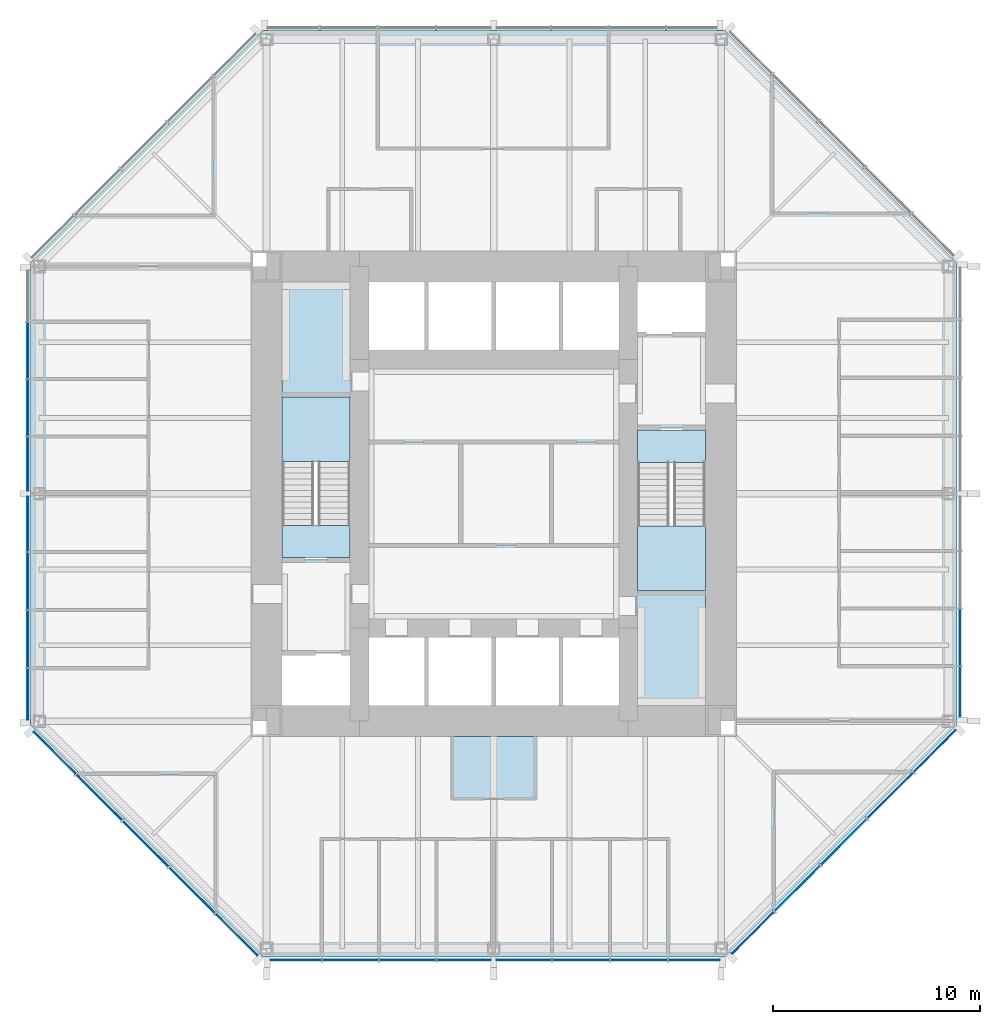
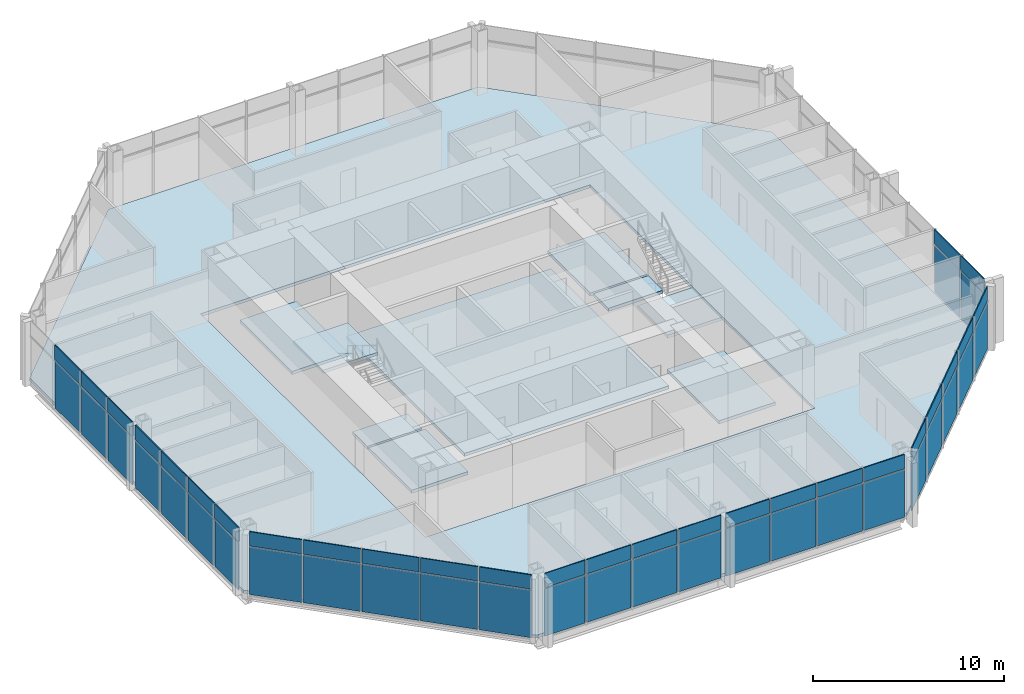
# One storey, part 7 of 12: 54 plates, 10 slabs, 7 elements without a shape of their own.
"""IFC4 building model written with IfcOpenShell, lengths in metres."""

from ifc_helpers import new_model, si_unit, direction, frame, origin, origin_2d, place, context, subcontext, project, spatial, polyline, rectangle, outline, extrude, material, layer, layer_set, type_object, element, aggregate, save


model = new_model("IFC4")

# Units and contexts
model_context = context("Model", 3, precision=1e-05, world=origin(), true_north=direction((0.0, 1.0)))
body_context = subcontext(model_context, "Body", "Model", "MODEL_VIEW")
ifc_project = project(units=[si_unit("LENGTHUNIT", "METRE"), si_unit("AREAUNIT", "SQUARE_METRE"), si_unit("VOLUMEUNIT", "CUBIC_METRE"), si_unit("PLANEANGLEUNIT", "RADIAN"), si_unit("MASSUNIT", "GRAM", prefix="KILO")], contexts=[model_context])

# Site, building, storey
site_placement = place(None, origin())
site = spatial("IfcSite", under=ifc_project, at=site_placement, CompositionType="ELEMENT")
building_placement = place(site_placement, origin())
building = spatial("IfcBuilding", under=site, at=building_placement, Name="Trevanion Tower", CompositionType="ELEMENT")
storey_placement = place(building_placement, frame((0.0, 0.0, 174.60009765625)))
storey = spatial("IfcBuildingStorey", under=building, at=storey_placement, Name="L41", CompositionType="ELEMENT", Elevation=174.60009765625)

# Curtain wall, plates
ifc_material_1 = material(Name="Aluminium and glass", Category="aluminium")
curtain_wall_type = type_object("IfcCurtainWallType", Name="CW2 curtain wall", PredefinedType="USERDEFINED", material=ifc_material_1)
curtain_wall_1_placement = place(storey_placement, origin())
curtain_wall_1 = element("IfcCurtainWall", 1, at=curtain_wall_1_placement, inside=storey, type_object=curtain_wall_type, Name="CW2 L41 0", ObjectType="UNITISED CURTAIN WALL", PredefinedType="USERDEFINED")
ifc_material_2 = material(Name="Aluminium spandrel panel", Category="aluminium")
ifc_layer_1 = layer(ifc_material_2, 0.06005859375)
ifc_layer_set_1 = layer_set([ifc_layer_1], Name="CW2 spandrel panel")
plate_type_1 = type_object("IfcPlateType", Name="CW2 spandrel panel", PredefinedType="CURTAIN_PANEL", material=ifc_layer_set_1)
plate_1_placement = place(storey_placement, frame((22.550048828125, -9.579345703125, 2.997314453125), z_axis=(0.0, 0.0, 1.0), x_axis=(0.0, 1.0, 0.0)))
plate_1 = element("IfcPlate", 2, at=plate_1_placement, type_object=plate_type_1, Name="CW2 panel 1.2", PredefinedType="CURTAIN_PANEL", context=body_context, shape_type="SweptSolid", body=[
    extrude(rectangle(XDim=2.43701171875, YDim=0.06005859375, at=origin_2d()), origin(), (0.0, 0.0, 1.0), 0.91259765625),
])
plate_2_placement = place(storey_placement, frame((22.550048828125, -6.93603515625, 2.997314453125), z_axis=(0.0, 0.0, 1.0), x_axis=(0.0, 1.0, 0.0)))
plate_2 = element("IfcPlate", 3, at=plate_2_placement, type_object=plate_type_1, Name="CW2 panel 2.2", PredefinedType="CURTAIN_PANEL", context=body_context, shape_type="SweptSolid", body=[
    extrude(rectangle(XDim=2.699462890625, YDim=0.06005859375, at=origin_2d()), origin(), (0.0, 0.0, 1.0), 0.91259765625),
])

curtain_wall_2_placement = place(storey_placement, origin())
curtain_wall_2 = element("IfcCurtainWall", 4, at=curtain_wall_2_placement, inside=storey, type_object=curtain_wall_type, Name="CW2 L41 4", ObjectType="UNITISED CURTAIN WALL", PredefinedType="USERDEFINED")
plate_3_placement = place(storey_placement, frame((-22.550048828125, 6.93603515625, 2.997314453125), z_axis=(0.0, 0.0, 1.0), x_axis=(0.0, -1.0, 0.0)))
plate_3 = element("IfcPlate", 5, at=plate_3_placement, type_object=plate_type_1, Name="CW2 panel 2.2", PredefinedType="CURTAIN_PANEL", context=body_context, shape_type="SweptSolid", body=[
    extrude(rectangle(XDim=2.699462890625, YDim=0.06005859375, at=origin_2d()), origin(), (0.0, 0.0, 1.0), 0.91259765625),
])
plate_4_placement = place(storey_placement, frame((-22.550048828125, 4.16162109375, 2.997314453125), z_axis=(0.0, 0.0, 1.0), x_axis=(0.0, -1.0, 0.0)))
plate_4 = element("IfcPlate", 6, at=plate_4_placement, type_object=plate_type_1, Name="CW2 panel 3.2", PredefinedType="CURTAIN_PANEL", context=body_context, shape_type="SweptSolid", body=[
    extrude(rectangle(XDim=2.699462890625, YDim=0.06005859375, at=origin_2d()), origin(), (0.0, 0.0, 1.0), 0.91259765625),
])
plate_5_placement = place(storey_placement, frame((-22.550048828125, 1.443603515625, 2.997314453125), z_axis=(0.0, 0.0, 1.0), x_axis=(0.0, -1.0, 0.0)))
plate_5 = element("IfcPlate", 7, at=plate_5_placement, type_object=plate_type_1, Name="CW2 panel 4.2", PredefinedType="CURTAIN_PANEL", context=body_context, shape_type="SweptSolid", body=[
    extrude(rectangle(XDim=2.5869140625, YDim=0.06005859375, at=origin_2d()), origin(), (0.0, 0.0, 1.0), 0.91259765625),
])
plate_6_placement = place(storey_placement, frame((-22.550048828125, -1.459716796875, 2.997314453125), z_axis=(0.0, 0.0, 1.0), x_axis=(0.0, -1.0, 0.0)))
plate_6 = element("IfcPlate", 8, at=plate_6_placement, type_object=plate_type_1, Name="CW2 panel 5.2", PredefinedType="CURTAIN_PANEL", context=body_context, shape_type="SweptSolid", body=[
    extrude(rectangle(XDim=2.619384765625, YDim=0.06005859375, at=origin_2d()), origin(), (0.0, 0.0, 1.0), 0.91259765625),
])
plate_7_placement = place(storey_placement, frame((-22.550048828125, -4.21044921875, 2.997314453125), z_axis=(0.0, 0.0, 1.0), x_axis=(0.0, -1.0, 0.0)))
plate_7 = element("IfcPlate", 9, at=plate_7_placement, type_object=plate_type_1, Name="CW2 panel 6.2", PredefinedType="CURTAIN_PANEL", context=body_context, shape_type="SweptSolid", body=[
    extrude(rectangle(XDim=2.73193359375, YDim=0.06005859375, at=origin_2d()), origin(), (0.0, 0.0, 1.0), 0.91259765625),
])
plate_8_placement = place(storey_placement, frame((-22.550048828125, -7.017333984375, 2.997314453125), z_axis=(0.0, 0.0, 1.0), x_axis=(0.0, -1.0, 0.0)))
plate_8 = element("IfcPlate", 10, at=plate_8_placement, type_object=plate_type_1, Name="CW2 panel 7.2", PredefinedType="CURTAIN_PANEL", context=body_context, shape_type="SweptSolid", body=[
    extrude(rectangle(XDim=2.73193359375, YDim=0.06005859375, at=origin_2d()), origin(), (0.0, 0.0, 1.0), 0.91259765625),
])
plate_9_placement = place(storey_placement, frame((-22.550048828125, -9.693115234375, 2.997314453125), z_axis=(0.0, 0.0, 1.0), x_axis=(0.0, -1.0, 0.0)))
plate_9 = element("IfcPlate", 11, at=plate_9_placement, type_object=plate_type_1, Name="CW2 panel 8.2", PredefinedType="CURTAIN_PANEL", context=body_context, shape_type="SweptSolid", body=[
    extrude(rectangle(XDim=2.469482421875, YDim=0.06005859375, at=origin_2d()), origin(), (0.0, 0.0, 1.0), 0.91259765625),
])

curtain_wall_3_placement = place(storey_placement, origin())
curtain_wall_3 = element("IfcCurtainWall", 12, at=curtain_wall_3_placement, inside=storey, type_object=curtain_wall_type, Name="CW2 L41 5", ObjectType="UNITISED CURTAIN WALL", PredefinedType="USERDEFINED")
plate_10_placement = place(storey_placement, frame((-21.2421875, -12.53564453125, 2.997314453125), z_axis=(0.0, 0.0, 1.0), x_axis=(0.707106781187, -0.707106781187, 0.0)))
plate_10 = element("IfcPlate", 13, at=plate_10_placement, type_object=plate_type_1, Name="CW2 panel 1.2", PredefinedType="CURTAIN_PANEL", context=body_context, shape_type="SweptSolid", body=[
    extrude(rectangle(XDim=2.8388671875, YDim=0.06005859375, at=origin_2d()), origin(), (0.0, 0.0, 1.0), 0.91259765625),
])
plate_11_placement = place(storey_placement, frame((-19.089111328125, -14.688720703125, 2.997314453125), z_axis=(0.0, 0.0, 1.0), x_axis=(0.707106781187, -0.707106781187, 0.0)))
plate_11 = element("IfcPlate", 14, at=plate_11_placement, type_object=plate_type_1, Name="CW2 panel 2.2", PredefinedType="CURTAIN_PANEL", context=body_context, shape_type="SweptSolid", body=[
    extrude(rectangle(XDim=3.101318359375, YDim=0.06005859375, at=origin_2d()), origin(), (0.0, 0.0, 1.0), 0.91259765625),
])
plate_12_placement = place(storey_placement, frame((-16.843017578125, -16.934814453125, 2.997314453125), z_axis=(0.0, 0.0, 1.0), x_axis=(0.707106781187, -0.707106781187, 0.0)))
plate_12 = element("IfcPlate", 15, at=plate_12_placement, type_object=plate_type_1, Name="CW2 panel 3.2", PredefinedType="CURTAIN_PANEL", context=body_context, shape_type="SweptSolid", body=[
    extrude(rectangle(XDim=3.101318359375, YDim=0.06005859375, at=origin_2d()), origin(), (0.0, 0.0, 1.0), 0.91259765625),
])
plate_13_placement = place(storey_placement, frame((-14.596923828125, -19.180908203125, 2.997314453125), z_axis=(0.0, 0.0, 1.0), x_axis=(0.707106781187, -0.707106781187, 0.0)))
plate_13 = element("IfcPlate", 16, at=plate_13_placement, type_object=plate_type_1, Name="CW2 panel 4.2", PredefinedType="CURTAIN_PANEL", context=body_context, shape_type="SweptSolid", body=[
    extrude(rectangle(XDim=3.101318359375, YDim=0.06005859375, at=origin_2d()), origin(), (0.0, 0.0, 1.0), 0.91259765625),
])
plate_14_placement = place(storey_placement, frame((-12.443603515625, -21.334228515625, 2.997314453125), z_axis=(0.0, 0.0, 1.0), x_axis=(0.707106781187, -0.707106781187, 0.0)))
plate_14 = element("IfcPlate", 17, at=plate_14_placement, type_object=plate_type_1, Name="CW2 panel 5.2", PredefinedType="CURTAIN_PANEL", context=body_context, shape_type="SweptSolid", body=[
    extrude(rectangle(XDim=2.8388671875, YDim=0.06005859375, at=origin_2d()), origin(), (0.0, 0.0, 1.0), 0.91259765625),
])

curtain_wall_4_placement = place(storey_placement, origin())
curtain_wall_4 = element("IfcCurtainWall", 18, at=curtain_wall_4_placement, inside=storey, type_object=curtain_wall_type, Name="CW2 L41 6", ObjectType="UNITISED CURTAIN WALL", PredefinedType="USERDEFINED")
plate_15_placement = place(storey_placement, frame((-9.579345703125, -22.550048828125, 2.997314453125), z_axis=(0.0, 0.0, 1.0), x_axis=(1.0, 0.0, 0.0)))
plate_15 = element("IfcPlate", 19, at=plate_15_placement, type_object=plate_type_1, Name="CW2 panel 1.2", PredefinedType="CURTAIN_PANEL", context=body_context, shape_type="SweptSolid", body=[
    extrude(rectangle(XDim=2.43701171875, YDim=0.06005859375, at=origin_2d()), origin(), (0.0, 0.0, 1.0), 0.91259765625),
])
plate_16_placement = place(storey_placement, frame((-6.93603515625, -22.550048828125, 2.997314453125), z_axis=(0.0, 0.0, 1.0), x_axis=(1.0, 0.0, 0.0)))
plate_16 = element("IfcPlate", 20, at=plate_16_placement, type_object=plate_type_1, Name="CW2 panel 2.2", PredefinedType="CURTAIN_PANEL", context=body_context, shape_type="SweptSolid", body=[
    extrude(rectangle(XDim=2.699462890625, YDim=0.06005859375, at=origin_2d()), origin(), (0.0, 0.0, 1.0), 0.91259765625),
])
plate_17_placement = place(storey_placement, frame((-4.16162109375, -22.550048828125, 2.997314453125), z_axis=(0.0, 0.0, 1.0), x_axis=(1.0, 0.0, 0.0)))
plate_17 = element("IfcPlate", 21, at=plate_17_placement, type_object=plate_type_1, Name="CW2 panel 3.2", PredefinedType="CURTAIN_PANEL", context=body_context, shape_type="SweptSolid", body=[
    extrude(rectangle(XDim=2.699462890625, YDim=0.06005859375, at=origin_2d()), origin(), (0.0, 0.0, 1.0), 0.91259765625),
])
plate_18_placement = place(storey_placement, frame((-1.443603515625, -22.550048828125, 2.997314453125), z_axis=(0.0, 0.0, 1.0), x_axis=(1.0, 0.0, 0.0)))
plate_18 = element("IfcPlate", 22, at=plate_18_placement, type_object=plate_type_1, Name="CW2 panel 4.2", PredefinedType="CURTAIN_PANEL", context=body_context, shape_type="SweptSolid", body=[
    extrude(rectangle(XDim=2.5869140625, YDim=0.06005859375, at=origin_2d()), origin(), (0.0, 0.0, 1.0), 0.91259765625),
])
plate_19_placement = place(storey_placement, frame((1.459716796875, -22.550048828125, 2.997314453125), z_axis=(0.0, 0.0, 1.0), x_axis=(1.0, 0.0, 0.0)))
plate_19 = element("IfcPlate", 23, at=plate_19_placement, type_object=plate_type_1, Name="CW2 panel 5.2", PredefinedType="CURTAIN_PANEL", context=body_context, shape_type="SweptSolid", body=[
    extrude(rectangle(XDim=2.619384765625, YDim=0.06005859375, at=origin_2d()), origin(), (0.0, 0.0, 1.0), 0.91259765625),
])
plate_20_placement = place(storey_placement, frame((4.21044921875, -22.550048828125, 2.997314453125), z_axis=(0.0, 0.0, 1.0), x_axis=(1.0, 0.0, 0.0)))
plate_20 = element("IfcPlate", 24, at=plate_20_placement, type_object=plate_type_1, Name="CW2 panel 6.2", PredefinedType="CURTAIN_PANEL", context=body_context, shape_type="SweptSolid", body=[
    extrude(rectangle(XDim=2.73193359375, YDim=0.06005859375, at=origin_2d()), origin(), (0.0, 0.0, 1.0), 0.91259765625),
])
plate_21_placement = place(storey_placement, frame((7.017333984375, -22.550048828125, 2.997314453125), z_axis=(0.0, 0.0, 1.0), x_axis=(1.0, 0.0, 0.0)))
plate_21 = element("IfcPlate", 25, at=plate_21_placement, type_object=plate_type_1, Name="CW2 panel 7.2", PredefinedType="CURTAIN_PANEL", context=body_context, shape_type="SweptSolid", body=[
    extrude(rectangle(XDim=2.73193359375, YDim=0.06005859375, at=origin_2d()), origin(), (0.0, 0.0, 1.0), 0.91259765625),
])
plate_22_placement = place(storey_placement, frame((9.693115234375, -22.550048828125, 2.997314453125), z_axis=(0.0, 0.0, 1.0), x_axis=(1.0, 0.0, 0.0)))
plate_22 = element("IfcPlate", 26, at=plate_22_placement, type_object=plate_type_1, Name="CW2 panel 8.2", PredefinedType="CURTAIN_PANEL", context=body_context, shape_type="SweptSolid", body=[
    extrude(rectangle(XDim=2.469482421875, YDim=0.06005859375, at=origin_2d()), origin(), (0.0, 0.0, 1.0), 0.91259765625),
])

curtain_wall_5_placement = place(storey_placement, origin())
curtain_wall_5 = element("IfcCurtainWall", 27, at=curtain_wall_5_placement, inside=storey, type_object=curtain_wall_type, Name="CW2 L41 7", ObjectType="UNITISED CURTAIN WALL", PredefinedType="USERDEFINED")
plate_23_placement = place(storey_placement, frame((12.53564453125, -21.2421875, 2.997314453125), z_axis=(0.0, 0.0, 1.0), x_axis=(0.707106781187, 0.707106781187, 0.0)))
plate_23 = element("IfcPlate", 28, at=plate_23_placement, type_object=plate_type_1, Name="CW2 panel 1.2", PredefinedType="CURTAIN_PANEL", context=body_context, shape_type="SweptSolid", body=[
    extrude(rectangle(XDim=2.8388671875, YDim=0.06005859375, at=origin_2d()), origin(), (0.0, 0.0, 1.0), 0.91259765625),
])
plate_24_placement = place(storey_placement, frame((14.688720703125, -19.089111328125, 2.997314453125), z_axis=(0.0, 0.0, 1.0), x_axis=(0.707106781187, 0.707106781187, 0.0)))
plate_24 = element("IfcPlate", 29, at=plate_24_placement, type_object=plate_type_1, Name="CW2 panel 2.2", PredefinedType="CURTAIN_PANEL", context=body_context, shape_type="SweptSolid", body=[
    extrude(rectangle(XDim=3.101318359375, YDim=0.06005859375, at=origin_2d()), origin(), (0.0, 0.0, 1.0), 0.91259765625),
])
plate_25_placement = place(storey_placement, frame((16.934814453125, -16.843017578125, 2.997314453125), z_axis=(0.0, 0.0, 1.0), x_axis=(0.707106781187, 0.707106781187, 0.0)))
plate_25 = element("IfcPlate", 30, at=plate_25_placement, type_object=plate_type_1, Name="CW2 panel 3.2", PredefinedType="CURTAIN_PANEL", context=body_context, shape_type="SweptSolid", body=[
    extrude(rectangle(XDim=3.101318359375, YDim=0.06005859375, at=origin_2d()), origin(), (0.0, 0.0, 1.0), 0.91259765625),
])
plate_26_placement = place(storey_placement, frame((19.180908203125, -14.596923828125, 2.997314453125), z_axis=(0.0, 0.0, 1.0), x_axis=(0.707106781187, 0.707106781187, 0.0)))
plate_26 = element("IfcPlate", 31, at=plate_26_placement, type_object=plate_type_1, Name="CW2 panel 4.2", PredefinedType="CURTAIN_PANEL", context=body_context, shape_type="SweptSolid", body=[
    extrude(rectangle(XDim=3.101318359375, YDim=0.06005859375, at=origin_2d()), origin(), (0.0, 0.0, 1.0), 0.91259765625),
])
plate_27_placement = place(storey_placement, frame((21.334228515625, -12.443603515625, 2.997314453125), z_axis=(0.0, 0.0, 1.0), x_axis=(0.707106781187, 0.707106781187, 0.0)))
plate_27 = element("IfcPlate", 32, at=plate_27_placement, type_object=plate_type_1, Name="CW2 panel 5.2", PredefinedType="CURTAIN_PANEL", context=body_context, shape_type="SweptSolid", body=[
    extrude(rectangle(XDim=2.8388671875, YDim=0.06005859375, at=origin_2d()), origin(), (0.0, 0.0, 1.0), 0.91259765625),
])

# Plate
ifc_material_3 = material(Name="Insulating glass unit", Category="glass")
ifc_layer_2 = layer(ifc_material_3, 0.028076171875)
ifc_layer_set_2 = layer_set([ifc_layer_2], Name="CW2 vision panel")
plate_type_2 = type_object("IfcPlateType", Name="CW2 vision panel", PredefinedType="CURTAIN_PANEL", material=ifc_layer_set_2)
plate_28_placement = place(storey_placement, frame((22.550048828125, -9.579345703125, -0.115234375), z_axis=(0.0, 0.0, 1.0), x_axis=(0.0, 1.0, 0.0)))
plate_28 = element("IfcPlate", 33, at=plate_28_placement, type_object=plate_type_2, Name="CW2 panel 1.1", PredefinedType="CURTAIN_PANEL", context=body_context, shape_type="SweptSolid", body=[
    extrude(rectangle(XDim=2.43701171875, YDim=0.028076171875, at=origin_2d()), origin(), (0.0, 0.0, 1.0), 3.03759765625),
])

plate_29_placement = place(storey_placement, frame((22.550048828125, -6.93603515625, -0.115234375), z_axis=(0.0, 0.0, 1.0), x_axis=(0.0, 1.0, 0.0)))
plate_29 = element("IfcPlate", 34, at=plate_29_placement, type_object=plate_type_2, Name="CW2 panel 2.1", PredefinedType="CURTAIN_PANEL", context=body_context, shape_type="SweptSolid", body=[
    extrude(rectangle(XDim=2.699462890625, YDim=0.028076171875, at=origin_2d()), origin(), (0.0, 0.0, 1.0), 3.03759765625),
])

aggregate(curtain_wall_1, [plate_28, plate_1, plate_29, plate_2])

plate_30_placement = place(storey_placement, frame((-22.550048828125, 6.93603515625, -0.115234375), z_axis=(0.0, 0.0, 1.0), x_axis=(0.0, -1.0, 0.0)))
plate_30 = element("IfcPlate", 35, at=plate_30_placement, type_object=plate_type_2, Name="CW2 panel 2.1", PredefinedType="CURTAIN_PANEL", context=body_context, shape_type="SweptSolid", body=[
    extrude(rectangle(XDim=2.699462890625, YDim=0.028076171875, at=origin_2d()), origin(), (0.0, 0.0, 1.0), 3.03759765625),
])

plate_31_placement = place(storey_placement, frame((-22.550048828125, 4.16162109375, -0.115234375), z_axis=(0.0, 0.0, 1.0), x_axis=(0.0, -1.0, 0.0)))
plate_31 = element("IfcPlate", 36, at=plate_31_placement, type_object=plate_type_2, Name="CW2 panel 3.1", PredefinedType="CURTAIN_PANEL", context=body_context, shape_type="SweptSolid", body=[
    extrude(rectangle(XDim=2.699462890625, YDim=0.028076171875, at=origin_2d()), origin(), (0.0, 0.0, 1.0), 3.03759765625),
])

plate_32_placement = place(storey_placement, frame((-22.550048828125, 1.443603515625, -0.115234375), z_axis=(0.0, 0.0, 1.0), x_axis=(0.0, -1.0, 0.0)))
plate_32 = element("IfcPlate", 37, at=plate_32_placement, type_object=plate_type_2, Name="CW2 panel 4.1", PredefinedType="CURTAIN_PANEL", context=body_context, shape_type="SweptSolid", body=[
    extrude(rectangle(XDim=2.5869140625, YDim=0.028076171875, at=origin_2d()), origin(), (0.0, 0.0, 1.0), 3.03759765625),
])

plate_33_placement = place(storey_placement, frame((-22.550048828125, -1.459716796875, -0.115234375), z_axis=(0.0, 0.0, 1.0), x_axis=(0.0, -1.0, 0.0)))
plate_33 = element("IfcPlate", 38, at=plate_33_placement, type_object=plate_type_2, Name="CW2 panel 5.1", PredefinedType="CURTAIN_PANEL", context=body_context, shape_type="SweptSolid", body=[
    extrude(rectangle(XDim=2.619384765625, YDim=0.028076171875, at=origin_2d()), origin(), (0.0, 0.0, 1.0), 3.03759765625),
])

plate_34_placement = place(storey_placement, frame((-22.550048828125, -4.21044921875, -0.115234375), z_axis=(0.0, 0.0, 1.0), x_axis=(0.0, -1.0, 0.0)))
plate_34 = element("IfcPlate", 39, at=plate_34_placement, type_object=plate_type_2, Name="CW2 panel 6.1", PredefinedType="CURTAIN_PANEL", context=body_context, shape_type="SweptSolid", body=[
    extrude(rectangle(XDim=2.73193359375, YDim=0.028076171875, at=origin_2d()), origin(), (0.0, 0.0, 1.0), 3.03759765625),
])

plate_35_placement = place(storey_placement, frame((-22.550048828125, -7.017333984375, -0.115234375), z_axis=(0.0, 0.0, 1.0), x_axis=(0.0, -1.0, 0.0)))
plate_35 = element("IfcPlate", 40, at=plate_35_placement, type_object=plate_type_2, Name="CW2 panel 7.1", PredefinedType="CURTAIN_PANEL", context=body_context, shape_type="SweptSolid", body=[
    extrude(rectangle(XDim=2.73193359375, YDim=0.028076171875, at=origin_2d()), origin(), (0.0, 0.0, 1.0), 3.03759765625),
])

plate_36_placement = place(storey_placement, frame((-22.550048828125, -9.693115234375, -0.115234375), z_axis=(0.0, 0.0, 1.0), x_axis=(0.0, -1.0, 0.0)))
plate_36 = element("IfcPlate", 41, at=plate_36_placement, type_object=plate_type_2, Name="CW2 panel 8.1", PredefinedType="CURTAIN_PANEL", context=body_context, shape_type="SweptSolid", body=[
    extrude(rectangle(XDim=2.469482421875, YDim=0.028076171875, at=origin_2d()), origin(), (0.0, 0.0, 1.0), 3.03759765625),
])

aggregate(curtain_wall_2, [plate_30, plate_3, plate_31, plate_4, plate_32, plate_5, plate_33, plate_6, plate_34, plate_7, plate_35, plate_8, plate_36, plate_9])

plate_37_placement = place(storey_placement, frame((-21.2421875, -12.53564453125, -0.115234375), z_axis=(0.0, 0.0, 1.0), x_axis=(0.707106781187, -0.707106781187, 0.0)))
plate_37 = element("IfcPlate", 42, at=plate_37_placement, type_object=plate_type_2, Name="CW2 panel 1.1", PredefinedType="CURTAIN_PANEL", context=body_context, shape_type="SweptSolid", body=[
    extrude(rectangle(XDim=2.8388671875, YDim=0.028076171875, at=origin_2d()), origin(), (0.0, 0.0, 1.0), 3.03759765625),
])

plate_38_placement = place(storey_placement, frame((-19.089111328125, -14.688720703125, -0.115234375), z_axis=(0.0, 0.0, 1.0), x_axis=(0.707106781187, -0.707106781187, 0.0)))
plate_38 = element("IfcPlate", 43, at=plate_38_placement, type_object=plate_type_2, Name="CW2 panel 2.1", PredefinedType="CURTAIN_PANEL", context=body_context, shape_type="SweptSolid", body=[
    extrude(rectangle(XDim=3.101318359375, YDim=0.028076171875, at=origin_2d()), origin(), (0.0, 0.0, 1.0), 3.03759765625),
])

plate_39_placement = place(storey_placement, frame((-16.843017578125, -16.934814453125, -0.115234375), z_axis=(0.0, 0.0, 1.0), x_axis=(0.707106781187, -0.707106781187, 0.0)))
plate_39 = element("IfcPlate", 44, at=plate_39_placement, type_object=plate_type_2, Name="CW2 panel 3.1", PredefinedType="CURTAIN_PANEL", context=body_context, shape_type="SweptSolid", body=[
    extrude(rectangle(XDim=3.101318359375, YDim=0.028076171875, at=origin_2d()), origin(), (0.0, 0.0, 1.0), 3.03759765625),
])

plate_40_placement = place(storey_placement, frame((-14.596923828125, -19.180908203125, -0.115234375), z_axis=(0.0, 0.0, 1.0), x_axis=(0.707106781187, -0.707106781187, 0.0)))
plate_40 = element("IfcPlate", 45, at=plate_40_placement, type_object=plate_type_2, Name="CW2 panel 4.1", PredefinedType="CURTAIN_PANEL", context=body_context, shape_type="SweptSolid", body=[
    extrude(rectangle(XDim=3.101318359375, YDim=0.028076171875, at=origin_2d()), origin(), (0.0, 0.0, 1.0), 3.03759765625),
])

plate_41_placement = place(storey_placement, frame((-12.443603515625, -21.334228515625, -0.115234375), z_axis=(0.0, 0.0, 1.0), x_axis=(0.707106781187, -0.707106781187, 0.0)))
plate_41 = element("IfcPlate", 46, at=plate_41_placement, type_object=plate_type_2, Name="CW2 panel 5.1", PredefinedType="CURTAIN_PANEL", context=body_context, shape_type="SweptSolid", body=[
    extrude(rectangle(XDim=2.8388671875, YDim=0.028076171875, at=origin_2d()), origin(), (0.0, 0.0, 1.0), 3.03759765625),
])

aggregate(curtain_wall_3, [plate_37, plate_10, plate_38, plate_11, plate_39, plate_12, plate_40, plate_13, plate_41, plate_14])

plate_42_placement = place(storey_placement, frame((-9.579345703125, -22.550048828125, -0.115234375), z_axis=(0.0, 0.0, 1.0), x_axis=(1.0, 0.0, 0.0)))
plate_42 = element("IfcPlate", 47, at=plate_42_placement, type_object=plate_type_2, Name="CW2 panel 1.1", PredefinedType="CURTAIN_PANEL", context=body_context, shape_type="SweptSolid", body=[
    extrude(rectangle(XDim=2.43701171875, YDim=0.028076171875, at=origin_2d()), origin(), (0.0, 0.0, 1.0), 3.03759765625),
])

plate_43_placement = place(storey_placement, frame((-6.93603515625, -22.550048828125, -0.115234375), z_axis=(0.0, 0.0, 1.0), x_axis=(1.0, 0.0, 0.0)))
plate_43 = element("IfcPlate", 48, at=plate_43_placement, type_object=plate_type_2, Name="CW2 panel 2.1", PredefinedType="CURTAIN_PANEL", context=body_context, shape_type="SweptSolid", body=[
    extrude(rectangle(XDim=2.699462890625, YDim=0.028076171875, at=origin_2d()), origin(), (0.0, 0.0, 1.0), 3.03759765625),
])

plate_44_placement = place(storey_placement, frame((-4.16162109375, -22.550048828125, -0.115234375), z_axis=(0.0, 0.0, 1.0), x_axis=(1.0, 0.0, 0.0)))
plate_44 = element("IfcPlate", 49, at=plate_44_placement, type_object=plate_type_2, Name="CW2 panel 3.1", PredefinedType="CURTAIN_PANEL", context=body_context, shape_type="SweptSolid", body=[
    extrude(rectangle(XDim=2.699462890625, YDim=0.028076171875, at=origin_2d()), origin(), (0.0, 0.0, 1.0), 3.03759765625),
])

plate_45_placement = place(storey_placement, frame((-1.443603515625, -22.550048828125, -0.115234375), z_axis=(0.0, 0.0, 1.0), x_axis=(1.0, 0.0, 0.0)))
plate_45 = element("IfcPlate", 50, at=plate_45_placement, type_object=plate_type_2, Name="CW2 panel 4.1", PredefinedType="CURTAIN_PANEL", context=body_context, shape_type="SweptSolid", body=[
    extrude(rectangle(XDim=2.5869140625, YDim=0.028076171875, at=origin_2d()), origin(), (0.0, 0.0, 1.0), 3.03759765625),
])

plate_46_placement = place(storey_placement, frame((1.459716796875, -22.550048828125, -0.115234375), z_axis=(0.0, 0.0, 1.0), x_axis=(1.0, 0.0, 0.0)))
plate_46 = element("IfcPlate", 51, at=plate_46_placement, type_object=plate_type_2, Name="CW2 panel 5.1", PredefinedType="CURTAIN_PANEL", context=body_context, shape_type="SweptSolid", body=[
    extrude(rectangle(XDim=2.619384765625, YDim=0.028076171875, at=origin_2d()), origin(), (0.0, 0.0, 1.0), 3.03759765625),
])

plate_47_placement = place(storey_placement, frame((4.21044921875, -22.550048828125, -0.115234375), z_axis=(0.0, 0.0, 1.0), x_axis=(1.0, 0.0, 0.0)))
plate_47 = element("IfcPlate", 52, at=plate_47_placement, type_object=plate_type_2, Name="CW2 panel 6.1", PredefinedType="CURTAIN_PANEL", context=body_context, shape_type="SweptSolid", body=[
    extrude(rectangle(XDim=2.73193359375, YDim=0.028076171875, at=origin_2d()), origin(), (0.0, 0.0, 1.0), 3.03759765625),
])

plate_48_placement = place(storey_placement, frame((7.017333984375, -22.550048828125, -0.115234375), z_axis=(0.0, 0.0, 1.0), x_axis=(1.0, 0.0, 0.0)))
plate_48 = element("IfcPlate", 53, at=plate_48_placement, type_object=plate_type_2, Name="CW2 panel 7.1", PredefinedType="CURTAIN_PANEL", context=body_context, shape_type="SweptSolid", body=[
    extrude(rectangle(XDim=2.73193359375, YDim=0.028076171875, at=origin_2d()), origin(), (0.0, 0.0, 1.0), 3.03759765625),
])

plate_49_placement = place(storey_placement, frame((9.693115234375, -22.550048828125, -0.115234375), z_axis=(0.0, 0.0, 1.0), x_axis=(1.0, 0.0, 0.0)))
plate_49 = element("IfcPlate", 54, at=plate_49_placement, type_object=plate_type_2, Name="CW2 panel 8.1", PredefinedType="CURTAIN_PANEL", context=body_context, shape_type="SweptSolid", body=[
    extrude(rectangle(XDim=2.469482421875, YDim=0.028076171875, at=origin_2d()), origin(), (0.0, 0.0, 1.0), 3.03759765625),
])

aggregate(curtain_wall_4, [plate_42, plate_15, plate_43, plate_16, plate_44, plate_17, plate_45, plate_18, plate_46, plate_19, plate_47, plate_20, plate_48, plate_21, plate_49, plate_22])

plate_50_placement = place(storey_placement, frame((12.53564453125, -21.2421875, -0.115234375), z_axis=(0.0, 0.0, 1.0), x_axis=(0.707106781187, 0.707106781187, 0.0)))
plate_50 = element("IfcPlate", 55, at=plate_50_placement, type_object=plate_type_2, Name="CW2 panel 1.1", PredefinedType="CURTAIN_PANEL", context=body_context, shape_type="SweptSolid", body=[
    extrude(rectangle(XDim=2.8388671875, YDim=0.028076171875, at=origin_2d()), origin(), (0.0, 0.0, 1.0), 3.03759765625),
])

plate_51_placement = place(storey_placement, frame((14.688720703125, -19.089111328125, -0.115234375), z_axis=(0.0, 0.0, 1.0), x_axis=(0.707106781187, 0.707106781187, 0.0)))
plate_51 = element("IfcPlate", 56, at=plate_51_placement, type_object=plate_type_2, Name="CW2 panel 2.1", PredefinedType="CURTAIN_PANEL", context=body_context, shape_type="SweptSolid", body=[
    extrude(rectangle(XDim=3.101318359375, YDim=0.028076171875, at=origin_2d()), origin(), (0.0, 0.0, 1.0), 3.03759765625),
])

plate_52_placement = place(storey_placement, frame((16.934814453125, -16.843017578125, -0.115234375), z_axis=(0.0, 0.0, 1.0), x_axis=(0.707106781187, 0.707106781187, 0.0)))
plate_52 = element("IfcPlate", 57, at=plate_52_placement, type_object=plate_type_2, Name="CW2 panel 3.1", PredefinedType="CURTAIN_PANEL", context=body_context, shape_type="SweptSolid", body=[
    extrude(rectangle(XDim=3.101318359375, YDim=0.028076171875, at=origin_2d()), origin(), (0.0, 0.0, 1.0), 3.03759765625),
])

plate_53_placement = place(storey_placement, frame((19.180908203125, -14.596923828125, -0.115234375), z_axis=(0.0, 0.0, 1.0), x_axis=(0.707106781187, 0.707106781187, 0.0)))
plate_53 = element("IfcPlate", 58, at=plate_53_placement, type_object=plate_type_2, Name="CW2 panel 4.1", PredefinedType="CURTAIN_PANEL", context=body_context, shape_type="SweptSolid", body=[
    extrude(rectangle(XDim=3.101318359375, YDim=0.028076171875, at=origin_2d()), origin(), (0.0, 0.0, 1.0), 3.03759765625),
])

plate_54_placement = place(storey_placement, frame((21.334228515625, -12.443603515625, -0.115234375), z_axis=(0.0, 0.0, 1.0), x_axis=(0.707106781187, 0.707106781187, 0.0)))
plate_54 = element("IfcPlate", 59, at=plate_54_placement, type_object=plate_type_2, Name="CW2 panel 5.1", PredefinedType="CURTAIN_PANEL", context=body_context, shape_type="SweptSolid", body=[
    extrude(rectangle(XDim=2.8388671875, YDim=0.028076171875, at=origin_2d()), origin(), (0.0, 0.0, 1.0), 3.03759765625),
])

aggregate(curtain_wall_5, [plate_50, plate_23, plate_51, plate_24, plate_52, plate_25, plate_53, plate_26, plate_54, plate_27])

# Slabs
ifc_material_4 = material(Name="Concrete 5,000 psi on composite metal deck", Category="concrete")
ifc_layer_3 = layer(ifc_material_4, 0.18994140625)
ifc_layer_set_3 = layer_set([ifc_layer_3], Name="SL1 composite floor 190")
slab_type_1 = type_object("IfcSlabType", Name="SL1 composite floor 190", PredefinedType="FLOOR", material=ifc_layer_set_3)
slab_1_placement = place(storey_placement, frame((0.0, 0.0, -0.190185546875)))
element("IfcSlab", 60, at=slab_1_placement, inside=storey, type_object=slab_type_1, Name="SL1 L41 floor", PredefinedType="FLOOR", context=body_context, shape_type="SweptSolid", body=[
    extrude(outline(polyline([(22.419921875, -11.174072265625), (22.419921875, 11.174072265625), (11.174072265625, 22.419921875), (-11.174072265625, 22.419921875), (-22.419921875, 11.174072265625), (-22.419921875, -11.174072265625), (-11.174072265625, -22.419921875), (11.174072265625, -22.419921875), (22.419921875, -11.174072265625)]), holes=[polyline([(11.75, -11.75), (11.75, 11.75), (-11.75, 11.75), (-11.75, -11.75), (11.75, -11.75)])]), origin(), (0.0, 0.0, 1.0), 0.190185546875),
])
ifc_material_5 = material(Name="Concrete 5,000 psi", Category="concrete")
ifc_layer_4 = layer(ifc_material_5, 0.199951171875)
ifc_layer_set_4 = layer_set([ifc_layer_4], Name="SL2 core floor 200")
slab_type_2 = type_object("IfcSlabType", Name="SL2 core floor 200", PredefinedType="FLOOR", material=ifc_layer_set_4)
slab_2_placement = place(storey_placement, frame((0.0, 0.0, -0.2001953125)))
element("IfcSlab", 61, at=slab_2_placement, inside=storey, type_object=slab_type_2, Name="SL2 L41 core floor 1", PredefinedType="FLOOR", context=body_context, shape_type="SweptSolid", body=[
    extrude(outline(polyline([(10.25, -4.804931640625), (10.25, -10.25), (6.830078125, -10.25), (6.830078125, -4.804931640625), (10.25, -4.804931640625)])), origin(), (0.0, 0.0, 1.0), 0.2001953125),
])
slab_3_placement = place(storey_placement, frame((0.0, 0.0, -0.2001953125)))
element("IfcSlab", 62, at=slab_3_placement, inside=storey, type_object=slab_type_2, Name="SL2 L41 core floor 2", PredefinedType="FLOOR", context=body_context, shape_type="SweptSolid", body=[
    extrude(outline(polyline([(-6.830078125, -3.205078125), (-6.830078125, -7.695068359375), (-10.25, -7.695068359375), (-10.25, -3.205078125), (-6.830078125, -3.205078125)])), origin(), (0.0, 0.0, 1.0), 0.2001953125),
])
slab_4_placement = place(storey_placement, frame((0.0, 0.0, -0.2001953125)))
element("IfcSlab", 63, at=slab_4_placement, inside=storey, type_object=slab_type_2, Name="SL2 L41 core floor 3", PredefinedType="FLOOR", context=body_context, shape_type="SweptSolid", body=[
    extrude(outline(polyline([(6.169921875, -6.169921875), (-6.169921875, -6.169921875), (-6.169921875, 6.169921875), (6.169921875, 6.169921875), (6.169921875, -6.169921875)])), origin(), (0.0, 0.0, 1.0), 0.2001953125),
])
slab_5_placement = place(storey_placement, frame((0.0, 0.0, -0.2001953125)))
element("IfcSlab", 64, at=slab_5_placement, inside=storey, type_object=slab_type_2, Name="SL2 L41 core floor 4", PredefinedType="FLOOR", context=body_context, shape_type="SweptSolid", body=[
    extrude(outline(polyline([(6.830078125, 3.205078125), (6.830078125, 7.695068359375), (10.25, 7.695068359375), (10.25, 3.205078125), (6.830078125, 3.205078125)])), origin(), (0.0, 0.0, 1.0), 0.2001953125),
])
slab_6_placement = place(storey_placement, frame((0.0, 0.0, -0.2001953125)))
element("IfcSlab", 65, at=slab_6_placement, inside=storey, type_object=slab_type_2, Name="SL2 L41 core floor 5", PredefinedType="FLOOR", context=body_context, shape_type="SweptSolid", body=[
    extrude(outline(polyline([(-6.830078125, 4.804931640625), (-10.25, 4.804931640625), (-10.25, 10.25), (-6.830078125, 10.25), (-6.830078125, 4.804931640625)])), origin(), (0.0, 0.0, 1.0), 0.2001953125),
])

# Stair, slabs
ifc_material_6 = material(Name="Concrete 5,000 psi on steel stringers", Category="concrete")
stair_type = type_object("IfcStairType", Name="ST stair", PredefinedType="HALF_TURN_STAIR", material=ifc_material_6)
stair_1_placement = place(storey_placement, origin())
stair_1 = element("IfcStair", 66, at=stair_1_placement, inside=storey, type_object=stair_type, Name="ST1 L41", PredefinedType="HALF_TURN_STAIR")
ifc_material_7 = material(Name="Concrete 5,000 psi in steel pan", Category="concrete")
ifc_layer_5 = layer(ifc_material_7, 0.199951171875)
ifc_layer_set_5 = layer_set([ifc_layer_5], Name="STL stair landing 200")
slab_type_3 = type_object("IfcSlabType", Name="STL stair landing 200", PredefinedType="LANDING", material=ifc_layer_set_5)
slab_7_placement = place(storey_placement, frame((0.0, 0.0, -0.2001953125)))
slab_7 = element("IfcSlab", 67, at=slab_7_placement, type_object=slab_type_3, Name="ST1 landing 1", PredefinedType="LANDING", context=body_context, shape_type="SweptSolid", body=[
    extrude(outline(polyline([(6.949951171875, 1.52490234375), (10.25, 1.52490234375), (10.25, 3.074951171875), (6.949951171875, 3.074951171875), (6.949951171875, 1.52490234375)])), origin(), (0.0, 0.0, 1.0), 0.2001953125),
])
slab_8_placement = place(storey_placement, frame((0.0, 0.0, 1.849853515625)))
slab_8 = element("IfcSlab", 68, at=slab_8_placement, type_object=slab_type_3, Name="ST1 landing 2", PredefinedType="LANDING", context=body_context, shape_type="SweptSolid", body=[
    extrude(outline(polyline([(6.949951171875, -4.675048828125), (10.25, -4.675048828125), (10.25, -1.554931640625), (6.949951171875, -1.554931640625), (6.949951171875, -4.675048828125)])), origin(), (0.0, 0.0, 1.0), 0.199951171875),
])
aggregate(stair_1, [slab_7, slab_8])

stair_2_placement = place(storey_placement, origin())
stair_2 = element("IfcStair", 69, at=stair_2_placement, inside=storey, type_object=stair_type, Name="ST2 L41", PredefinedType="HALF_TURN_STAIR")
slab_9_placement = place(storey_placement, frame((0.0, 0.0, -0.2001953125)))
slab_9 = element("IfcSlab", 70, at=slab_9_placement, type_object=slab_type_3, Name="ST2 landing 1", PredefinedType="LANDING", context=body_context, shape_type="SweptSolid", body=[
    extrude(outline(polyline([(-6.949951171875, -1.52490234375), (-10.25, -1.52490234375), (-10.25, -3.074951171875), (-6.949951171875, -3.074951171875), (-6.949951171875, -1.52490234375)])), origin(), (0.0, 0.0, 1.0), 0.2001953125),
])
slab_10_placement = place(storey_placement, frame((0.0, 0.0, 1.849853515625)))
slab_10 = element("IfcSlab", 71, at=slab_10_placement, type_object=slab_type_3, Name="ST2 landing 2", PredefinedType="LANDING", context=body_context, shape_type="SweptSolid", body=[
    extrude(outline(polyline([(-6.949951171875, 4.675048828125), (-10.25, 4.675048828125), (-10.25, 1.554931640625), (-6.949951171875, 1.554931640625), (-6.949951171875, 4.675048828125)])), origin(), (0.0, 0.0, 1.0), 0.199951171875),
])
aggregate(stair_2, [slab_9, slab_10])

save(model, "model.ifc")
